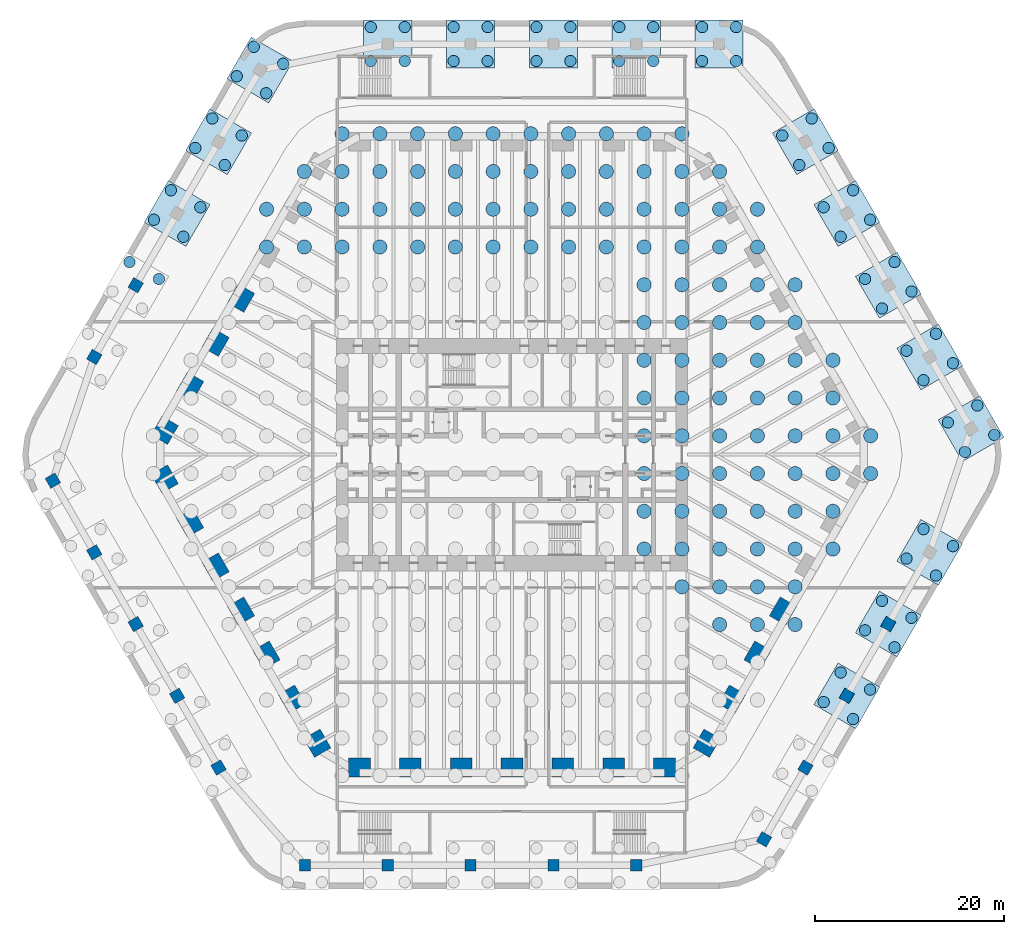
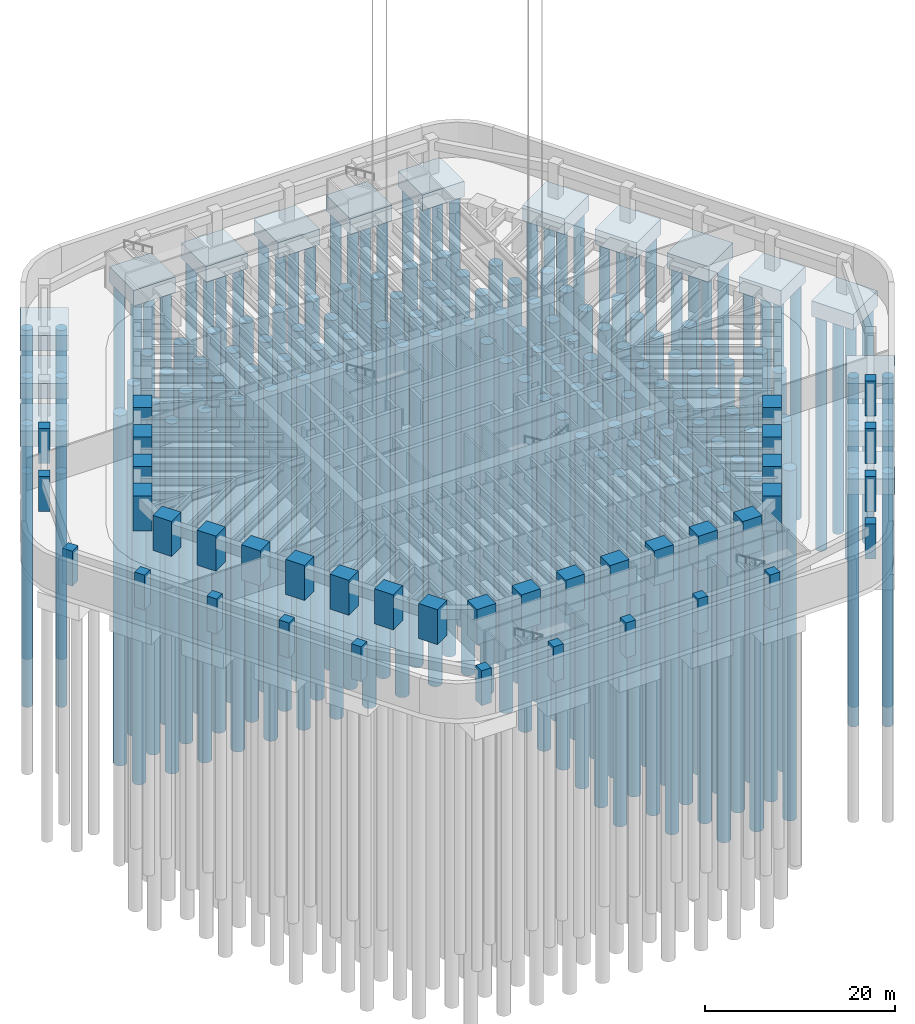
# One storey, part 2 of 17: 171 piles, 38 columns, 16 footings.
"""IFC4 building model written with IfcOpenShell, lengths in metres."""

from ifc_helpers import new_model, si_unit, direction, frame, origin, origin_2d, place, context, subcontext, project, spatial, polyline, rectangle, circle, outline, extrude, material, layer, layer_set, material_profile, profile_set, type_object, element, save


model = new_model("IFC4")

# Units and contexts
model_context = context("Model", 3, precision=1e-05, world=origin(), true_north=direction((0.0, 1.0)))
body_context = subcontext(model_context, "Body", "Model", "MODEL_VIEW")
ifc_project = project(units=[si_unit("LENGTHUNIT", "METRE"), si_unit("AREAUNIT", "SQUARE_METRE"), si_unit("VOLUMEUNIT", "CUBIC_METRE"), si_unit("PLANEANGLEUNIT", "RADIAN"), si_unit("MASSUNIT", "GRAM", prefix="KILO")], contexts=[model_context])

# Site, building, storey
site_placement = place(None, origin())
site = spatial("IfcSite", under=ifc_project, at=site_placement, CompositionType="ELEMENT")
building_placement = place(site_placement, origin())
building = spatial("IfcBuilding", under=site, at=building_placement, Name="Tarfa Lantern Tower", CompositionType="ELEMENT")
storey_placement = place(building_placement, frame((0.0, 0.0, -9.0)))
storey = spatial("IfcBuildingStorey", under=building, at=storey_placement, Name="B2", CompositionType="ELEMENT", Elevation=-9.0)

# Piles
ifc_material_1 = material(Name="Concrete C40/50", Category="concrete")
ifc_material_profile_1 = material_profile(ifc_material_1, circle(Radius=0.60009765625, at=origin_2d()), Name="BORED PILE D1200")
ifc_profile_set_1 = profile_set([ifc_material_profile_1], Name="Concrete C40/50")
pile_type_1 = type_object("IfcPileType", Name="BP1200 BORED PILE", PredefinedType="BORED", material=ifc_profile_set_1)
for number, where, z_axis, x_axis, name in (
    (1, (51.1005859375, 2.091064453125, -2.60009765625), (0.0, 0.0, -1.0), (1.0, 0.0, 0.0), "Cap pile NE0"),
    (2, (49.300537109375, 5.208740234375, -2.60009765625), (0.0, 0.0, -1.0), (1.0, 0.0, 0.0), "Cap pile NE0"),
    (3, (46.182861328125, 3.408935546875, -2.60009765625), (0.0, 0.0, -1.0), (1.0, 0.0, 0.0), "Cap pile NE0"),
    (4, (47.98291015625, 0.291259765625, -2.60009765625), (0.0, 0.0, -1.0), (1.0, 0.0, 0.0), "Cap pile NE0"),
    (5, (46.712646484375, 9.691162109375, -2.60009765625), (0.0, 0.0, -1.0), (1.0, 0.0, 0.0), "Cap pile NE1"),
    (6, (44.912841796875, 12.808837890625, -2.60009765625), (0.0, 0.0, -1.0), (1.0, 0.0, 0.0), "Cap pile NE1"),
    (7, (41.795166015625, 11.0087890625, -2.60009765625), (0.0, 0.0, -1.0), (1.0, 0.0, 0.0), "Cap pile NE1"),
    (8, (43.594970703125, 7.89111328125, -2.60009765625), (0.0, 0.0, -1.0), (1.0, 0.0, 0.0), "Cap pile NE1"),
    (9, (42.324951171875, 17.291259765625, -2.60009765625), (0.0, 0.0, -1.0), (1.0, 0.0, 0.0), "Cap pile NE2"),
    (10, (40.52490234375, 20.408935546875, -2.60009765625), (0.0, 0.0, -1.0), (1.0, 0.0, 0.0), "Cap pile NE2"),
    (11, (37.4072265625, 18.60888671875, -2.60009765625), (0.0, 0.0, -1.0), (1.0, 0.0, 0.0), "Cap pile NE2"),
    (12, (39.207275390625, 15.4912109375, -2.60009765625), (0.0, 0.0, -1.0), (1.0, 0.0, 0.0), "Cap pile NE2"),
    (13, (37.93701171875, 24.89111328125, -2.60009765625), (0.0, 0.0, -1.0), (1.0, 0.0, 0.0), "Cap pile NE3"),
    (14, (36.136962890625, 28.0087890625, -2.60009765625), (0.0, 0.0, -1.0), (1.0, 0.0, 0.0), "Cap pile NE3"),
    (15, (33.019287109375, 26.208740234375, -2.60009765625), (0.0, 0.0, -1.0), (1.0, 0.0, 0.0), "Cap pile NE3"),
    (16, (34.8193359375, 23.091064453125, -2.60009765625), (0.0, 0.0, -1.0), (1.0, 0.0, 0.0), "Cap pile NE3"),
    (17, (33.549072265625, 32.4912109375, -2.60009765625), (0.0, 0.0, -1.0), (1.0, 0.0, 0.0), "Cap pile NE4"),
    (18, (31.749267578125, 35.60888671875, -2.60009765625), (0.0, 0.0, -1.0), (1.0, 0.0, 0.0), "Cap pile NE4"),
    (19, (28.63134765625, 33.808837890625, -2.60009765625), (0.0, 0.0, -1.0), (1.0, 0.0, 0.0), "Cap pile NE4"),
    (20, (30.431396484375, 30.691162109375, -2.60009765625), (0.0, 0.0, -1.0), (1.0, 0.0, 0.0), "Cap pile NE4"),
    (21, (23.7392578125, 45.300048828125, -2.60009765625), (0.0, 0.0, -1.0), (1.0, 0.0, 0.0), "Cap pile N0"),
    (22, (20.139404296875, 45.300048828125, -2.60009765625), (0.0, 0.0, -1.0), (1.0, 0.0, 0.0), "Cap pile N0"),
    (23, (20.139404296875, 41.699951171875, -2.60009765625), (0.0, 0.0, -1.0), (1.0, 0.0, 0.0), "Cap pile N0"),
    (24, (23.7392578125, 41.699951171875, -2.60009765625), (0.0, 0.0, -1.0), (1.0, 0.0, 0.0), "Cap pile N0"),
    (25, (14.963623046875, 45.300048828125, -2.60009765625), (0.0, 0.0, -1.0), (1.0, 0.0, 0.0), "Cap pile N1"),
    (26, (11.363525390625, 45.300048828125, -2.60009765625), (0.0, 0.0, -1.0), (1.0, 0.0, 0.0), "Cap pile N1"),
    (27, (11.363525390625, 41.699951171875, -2.60009765625), (0.0, 0.0, -1.0), (1.0, 0.0, 0.0), "Cap pile N1"),
    (28, (14.963623046875, 41.699951171875, -2.60009765625), (0.0, 0.0, -1.0), (1.0, 0.0, 0.0), "Cap pile N1"),
    (29, (6.187744140625, 45.300048828125, -2.60009765625), (0.0, 0.0, -1.0), (1.0, 0.0, 0.0), "Cap pile N2"),
    (30, (2.587890625, 45.300048828125, -2.60009765625), (0.0, 0.0, -1.0), (1.0, 0.0, 0.0), "Cap pile N2"),
    (31, (2.587890625, 41.699951171875, -2.60009765625), (0.0, 0.0, -1.0), (1.0, 0.0, 0.0), "Cap pile N2"),
    (32, (6.187744140625, 41.699951171875, -2.60009765625), (0.0, 0.0, -1.0), (1.0, 0.0, 0.0), "Cap pile N2"),
    (33, (-2.587890625, 45.300048828125, -2.60009765625), (0.0, 0.0, -1.0), (1.0, 0.0, 0.0), "Cap pile N3"),
    (34, (-6.187744140625, 45.300048828125, -2.60009765625), (0.0, 0.0, -1.0), (1.0, 0.0, 0.0), "Cap pile N3"),
    (35, (-6.187744140625, 41.699951171875, -2.60009765625), (0.0, 0.0, -1.0), (1.0, 0.0, 0.0), "Cap pile N3"),
    (36, (-2.587890625, 41.699951171875, -2.60009765625), (0.0, 0.0, -1.0), (1.0, 0.0, 0.0), "Cap pile N3"),
    (37, (-11.363525390625, 45.300048828125, -2.60009765625), (0.0, 0.0, -1.0), (1.0, 0.0, 0.0), "Cap pile N4"),
    (38, (-14.963623046875, 45.300048828125, -2.60009765625), (0.0, 0.0, -1.0), (1.0, 0.0, 0.0), "Cap pile N4"),
    (39, (-14.963623046875, 41.699951171875, -2.60009765625), (0.0, 0.0, -1.0), (1.0, 0.0, 0.0), "Cap pile N4"),
    (40, (-11.363525390625, 41.699951171875, -2.60009765625), (0.0, 0.0, -1.0), (1.0, 0.0, 0.0), "Cap pile N4"),
    (41, (-27.361328125, 43.208740234375, -2.60009765625), (0.0, 0.0, -1.0), (1.0, 0.0, 0.0), "Cap pile NW0"),
    (42, (-29.161376953125, 40.091064453125, -2.60009765625), (0.0, 0.0, -1.0), (1.0, 0.0, 0.0), "Cap pile NW0"),
    (43, (-26.043701171875, 38.291259765625, -2.60009765625), (0.0, 0.0, -1.0), (1.0, 0.0, 0.0), "Cap pile NW0"),
    (44, (-24.24365234375, 41.408935546875, -2.60009765625), (0.0, 0.0, -1.0), (1.0, 0.0, 0.0), "Cap pile NW0"),
    (45, (-31.749267578125, 35.60888671875, -2.60009765625), (0.0, 0.0, -1.0), (1.0, 0.0, 0.0), "Cap pile NW1"),
    (46, (-33.549072265625, 32.4912109375, -2.60009765625), (0.0, 0.0, -1.0), (1.0, 0.0, 0.0), "Cap pile NW1"),
    (47, (-30.431396484375, 30.691162109375, -2.60009765625), (0.0, 0.0, -1.0), (1.0, 0.0, 0.0), "Cap pile NW1"),
    (48, (-28.63134765625, 33.808837890625, -2.60009765625), (0.0, 0.0, -1.0), (1.0, 0.0, 0.0), "Cap pile NW1"),
    (49, (-36.136962890625, 28.0087890625, -2.60009765625), (0.0, 0.0, -1.0), (1.0, 0.0, 0.0), "Cap pile NW2"),
    (50, (-37.93701171875, 24.89111328125, -2.60009765625), (0.0, 0.0, -1.0), (1.0, 0.0, 0.0), "Cap pile NW2"),
    (51, (-34.8193359375, 23.091064453125, -2.60009765625), (0.0, 0.0, -1.0), (1.0, 0.0, 0.0), "Cap pile NW2"),
    (52, (-33.019287109375, 26.208740234375, -2.60009765625), (0.0, 0.0, -1.0), (1.0, 0.0, 0.0), "Cap pile NW2"),
    (53, (-40.52490234375, 20.408935546875, -2.60009765625), (0.0, 0.0, -1.0), (1.0, 0.0, 0.0), "Cap pile NW3"),
    (54, (-37.4072265625, 18.60888671875, -2.60009765625), (0.0, 0.0, -1.0), (1.0, 0.0, 0.0), "Cap pile NW3"),
    (55, (36.136962890625, -28.0087890625, -2.60009765625), (0.0, 0.0, -1.0), (1.0, 0.0, 0.0), "Cap pile SE2"),
    (56, (37.93701171875, -24.89111328125, -2.60009765625), (0.0, 0.0, -1.0), (1.0, 0.0, 0.0), "Cap pile SE2"),
    (57, (34.8193359375, -23.091064453125, -2.60009765625), (0.0, 0.0, -1.0), (1.0, 0.0, 0.0), "Cap pile SE2"),
    (58, (33.019287109375, -26.208740234375, -2.60009765625), (0.0, 0.0, -1.0), (1.0, 0.0, 0.0), "Cap pile SE2"),
    (59, (40.52490234375, -20.408935546875, -2.60009765625), (0.0, 0.0, -1.0), (1.0, 0.0, 0.0), "Cap pile SE3"),
    (60, (42.324951171875, -17.291259765625, -2.60009765625), (0.0, 0.0, -1.0), (1.0, 0.0, 0.0), "Cap pile SE3"),
    (61, (39.207275390625, -15.4912109375, -2.60009765625), (0.0, 0.0, -1.0), (1.0, 0.0, 0.0), "Cap pile SE3"),
    (62, (37.4072265625, -18.60888671875, -2.60009765625), (0.0, 0.0, -1.0), (1.0, 0.0, 0.0), "Cap pile SE3"),
    (63, (44.912841796875, -12.808837890625, -2.60009765625), (0.0, 0.0, -1.0), (1.0, 0.0, 0.0), "Cap pile SE4"),
    (64, (46.712646484375, -9.691162109375, -2.60009765625), (0.0, 0.0, -1.0), (1.0, 0.0, 0.0), "Cap pile SE4"),
    (65, (43.594970703125, -7.89111328125, -2.60009765625), (0.0, 0.0, -1.0), (1.0, 0.0, 0.0), "Cap pile SE4"),
    (66, (41.795166015625, -11.0087890625, -2.60009765625), (0.0, 0.0, -1.0), (1.0, 0.0, 0.0), "Cap pile SE4"),
):
    element("IfcPile", number, at=place(storey_placement, frame(where, z_axis=z_axis, x_axis=x_axis)), inside=storey, type_object=pile_type_1, Name=name, PredefinedType="BORED", context=body_context, shape_type="SweptSolid", body=[
        extrude(circle(Radius=0.60009765625, at=origin_2d()), origin(), (0.0, 0.0, 1.0), 30.0),
    ])
ifc_material_profile_2 = material_profile(ifc_material_1, circle(Radius=0.75, at=origin_2d()), Name="BORED PILE D1500")
ifc_profile_set_2 = profile_set([ifc_material_profile_2], Name="Concrete C40/50")
pile_type_2 = type_object("IfcPileType", Name="BP1500 BORED PILE", PredefinedType="BORED", material=ifc_profile_set_2)
for number, where, z_axis, x_axis, name in (
    (67, (-26.0, 22.0, -3.5), (0.0, 0.0, -1.0), (1.0, 0.0, 0.0), "Raft pile"),
    (68, (-26.0, 26.0, -3.5), (0.0, 0.0, -1.0), (1.0, 0.0, 0.0), "Raft pile"),
    (69, (-22.0, 22.0, -3.5), (0.0, 0.0, -1.0), (1.0, 0.0, 0.0), "Raft pile"),
    (70, (-22.0, 26.0, -3.5), (0.0, 0.0, -1.0), (1.0, 0.0, 0.0), "Raft pile"),
    (71, (-22.0, 30.0, -3.5), (0.0, 0.0, -1.0), (1.0, 0.0, 0.0), "Raft pile"),
    (72, (-18.0, 22.0, -3.5), (0.0, 0.0, -1.0), (1.0, 0.0, 0.0), "Raft pile"),
    (73, (-18.0, 26.0, -3.5), (0.0, 0.0, -1.0), (1.0, 0.0, 0.0), "Raft pile"),
    (74, (-18.0, 30.0, -3.5), (0.0, 0.0, -1.0), (1.0, 0.0, 0.0), "Raft pile"),
    (75, (-18.0, 34.0, -3.5), (0.0, 0.0, -1.0), (1.0, 0.0, 0.0), "Raft pile"),
    (76, (-14.0, 22.0, -3.5), (0.0, 0.0, -1.0), (1.0, 0.0, 0.0), "Raft pile"),
    (77, (-14.0, 26.0, -3.5), (0.0, 0.0, -1.0), (1.0, 0.0, 0.0), "Raft pile"),
    (78, (-14.0, 30.0, -3.5), (0.0, 0.0, -1.0), (1.0, 0.0, 0.0), "Raft pile"),
    (79, (-14.0, 34.0, -3.5), (0.0, 0.0, -1.0), (1.0, 0.0, 0.0), "Raft pile"),
    (80, (-10.0, 22.0, -3.5), (0.0, 0.0, -1.0), (1.0, 0.0, 0.0), "Raft pile"),
    (81, (-10.0, 26.0, -3.5), (0.0, 0.0, -1.0), (1.0, 0.0, 0.0), "Raft pile"),
    (82, (-10.0, 30.0, -3.5), (0.0, 0.0, -1.0), (1.0, 0.0, 0.0), "Raft pile"),
    (83, (-10.0, 34.0, -3.5), (0.0, 0.0, -1.0), (1.0, 0.0, 0.0), "Raft pile"),
    (84, (-6.0, 22.0, -3.5), (0.0, 0.0, -1.0), (1.0, 0.0, 0.0), "Raft pile"),
    (85, (-6.0, 26.0, -3.5), (0.0, 0.0, -1.0), (1.0, 0.0, 0.0), "Raft pile"),
    (86, (-6.0, 30.0, -3.5), (0.0, 0.0, -1.0), (1.0, 0.0, 0.0), "Raft pile"),
    (87, (-6.0, 34.0, -3.5), (0.0, 0.0, -1.0), (1.0, 0.0, 0.0), "Raft pile"),
    (88, (-2.0, 22.0, -3.5), (0.0, 0.0, -1.0), (1.0, 0.0, 0.0), "Raft pile"),
    (89, (-2.0, 26.0, -3.5), (0.0, 0.0, -1.0), (1.0, 0.0, 0.0), "Raft pile"),
    (90, (-2.0, 30.0, -3.5), (0.0, 0.0, -1.0), (1.0, 0.0, 0.0), "Raft pile"),
    (91, (-2.0, 34.0, -3.5), (0.0, 0.0, -1.0), (1.0, 0.0, 0.0), "Raft pile"),
    (92, (2.0, 22.0, -3.5), (0.0, 0.0, -1.0), (1.0, 0.0, 0.0), "Raft pile"),
    (93, (2.0, 26.0, -3.5), (0.0, 0.0, -1.0), (1.0, 0.0, 0.0), "Raft pile"),
    (94, (2.0, 30.0, -3.5), (0.0, 0.0, -1.0), (1.0, 0.0, 0.0), "Raft pile"),
    (95, (2.0, 34.0, -3.5), (0.0, 0.0, -1.0), (1.0, 0.0, 0.0), "Raft pile"),
    (96, (6.0, 22.0, -3.5), (0.0, 0.0, -1.0), (1.0, 0.0, 0.0), "Raft pile"),
    (97, (6.0, 26.0, -3.5), (0.0, 0.0, -1.0), (1.0, 0.0, 0.0), "Raft pile"),
    (98, (6.0, 30.0, -3.5), (0.0, 0.0, -1.0), (1.0, 0.0, 0.0), "Raft pile"),
    (99, (6.0, 34.0, -3.5), (0.0, 0.0, -1.0), (1.0, 0.0, 0.0), "Raft pile"),
    (100, (10.0, 22.0, -3.5), (0.0, 0.0, -1.0), (1.0, 0.0, 0.0), "Raft pile"),
    (101, (10.0, 26.0, -3.5), (0.0, 0.0, -1.0), (1.0, 0.0, 0.0), "Raft pile"),
    (102, (10.0, 30.0, -3.5), (0.0, 0.0, -1.0), (1.0, 0.0, 0.0), "Raft pile"),
    (103, (10.0, 34.0, -3.5), (0.0, 0.0, -1.0), (1.0, 0.0, 0.0), "Raft pile"),
    (104, (14.0, -10.0, -3.5), (0.0, 0.0, -1.0), (1.0, 0.0, 0.0), "Raft pile"),
    (105, (14.0, -6.0, -3.5), (0.0, 0.0, -1.0), (1.0, 0.0, 0.0), "Raft pile"),
    (106, (14.0, -2.0, -3.5), (0.0, 0.0, -1.0), (1.0, 0.0, 0.0), "Raft pile"),
    (107, (14.0, 2.0, -3.5), (0.0, 0.0, -1.0), (1.0, 0.0, 0.0), "Raft pile"),
    (108, (14.0, 6.0, -3.5), (0.0, 0.0, -1.0), (1.0, 0.0, 0.0), "Raft pile"),
    (109, (14.0, 10.0, -3.5), (0.0, 0.0, -1.0), (1.0, 0.0, 0.0), "Raft pile"),
    (110, (14.0, 14.0, -3.5), (0.0, 0.0, -1.0), (1.0, 0.0, 0.0), "Raft pile"),
    (111, (14.0, 18.0, -3.5), (0.0, 0.0, -1.0), (1.0, 0.0, 0.0), "Raft pile"),
    (112, (14.0, 22.0, -3.5), (0.0, 0.0, -1.0), (1.0, 0.0, 0.0), "Raft pile"),
    (113, (14.0, 26.0, -3.5), (0.0, 0.0, -1.0), (1.0, 0.0, 0.0), "Raft pile"),
    (114, (14.0, 30.0, -3.5), (0.0, 0.0, -1.0), (1.0, 0.0, 0.0), "Raft pile"),
    (115, (14.0, 34.0, -3.5), (0.0, 0.0, -1.0), (1.0, 0.0, 0.0), "Raft pile"),
    (116, (18.0, -14.0, -3.5), (0.0, 0.0, -1.0), (1.0, 0.0, 0.0), "Raft pile"),
    (117, (18.0, -10.0, -3.5), (0.0, 0.0, -1.0), (1.0, 0.0, 0.0), "Raft pile"),
    (118, (18.0, -6.0, -3.5), (0.0, 0.0, -1.0), (1.0, 0.0, 0.0), "Raft pile"),
    (119, (18.0, -2.0, -3.5), (0.0, 0.0, -1.0), (1.0, 0.0, 0.0), "Raft pile"),
    (120, (18.0, 2.0, -3.5), (0.0, 0.0, -1.0), (1.0, 0.0, 0.0), "Raft pile"),
    (121, (18.0, 6.0, -3.5), (0.0, 0.0, -1.0), (1.0, 0.0, 0.0), "Raft pile"),
    (122, (18.0, 10.0, -3.5), (0.0, 0.0, -1.0), (1.0, 0.0, 0.0), "Raft pile"),
    (123, (18.0, 14.0, -3.5), (0.0, 0.0, -1.0), (1.0, 0.0, 0.0), "Raft pile"),
    (124, (18.0, 18.0, -3.5), (0.0, 0.0, -1.0), (1.0, 0.0, 0.0), "Raft pile"),
    (125, (18.0, 22.0, -3.5), (0.0, 0.0, -1.0), (1.0, 0.0, 0.0), "Raft pile"),
    (126, (18.0, 26.0, -3.5), (0.0, 0.0, -1.0), (1.0, 0.0, 0.0), "Raft pile"),
    (127, (18.0, 30.0, -3.5), (0.0, 0.0, -1.0), (1.0, 0.0, 0.0), "Raft pile"),
    (128, (18.0, 34.0, -3.5), (0.0, 0.0, -1.0), (1.0, 0.0, 0.0), "Raft pile"),
    (129, (22.0, -18.0, -3.5), (0.0, 0.0, -1.0), (1.0, 0.0, 0.0), "Raft pile"),
    (130, (22.0, -14.0, -3.5), (0.0, 0.0, -1.0), (1.0, 0.0, 0.0), "Raft pile"),
    (131, (22.0, -10.0, -3.5), (0.0, 0.0, -1.0), (1.0, 0.0, 0.0), "Raft pile"),
    (132, (22.0, -6.0, -3.5), (0.0, 0.0, -1.0), (1.0, 0.0, 0.0), "Raft pile"),
    (133, (22.0, -2.0, -3.5), (0.0, 0.0, -1.0), (1.0, 0.0, 0.0), "Raft pile"),
    (134, (22.0, 2.0, -3.5), (0.0, 0.0, -1.0), (1.0, 0.0, 0.0), "Raft pile"),
    (135, (22.0, 6.0, -3.5), (0.0, 0.0, -1.0), (1.0, 0.0, 0.0), "Raft pile"),
    (136, (22.0, 10.0, -3.5), (0.0, 0.0, -1.0), (1.0, 0.0, 0.0), "Raft pile"),
    (137, (22.0, 14.0, -3.5), (0.0, 0.0, -1.0), (1.0, 0.0, 0.0), "Raft pile"),
    (138, (22.0, 18.0, -3.5), (0.0, 0.0, -1.0), (1.0, 0.0, 0.0), "Raft pile"),
    (139, (22.0, 22.0, -3.5), (0.0, 0.0, -1.0), (1.0, 0.0, 0.0), "Raft pile"),
    (140, (22.0, 26.0, -3.5), (0.0, 0.0, -1.0), (1.0, 0.0, 0.0), "Raft pile"),
    (141, (22.0, 30.0, -3.5), (0.0, 0.0, -1.0), (1.0, 0.0, 0.0), "Raft pile"),
    (142, (26.0, -18.0, -3.5), (0.0, 0.0, -1.0), (1.0, 0.0, 0.0), "Raft pile"),
    (143, (26.0, -14.0, -3.5), (0.0, 0.0, -1.0), (1.0, 0.0, 0.0), "Raft pile"),
    (144, (26.0, -10.0, -3.5), (0.0, 0.0, -1.0), (1.0, 0.0, 0.0), "Raft pile"),
    (145, (26.0, -6.0, -3.5), (0.0, 0.0, -1.0), (1.0, 0.0, 0.0), "Raft pile"),
    (146, (26.0, -2.0, -3.5), (0.0, 0.0, -1.0), (1.0, 0.0, 0.0), "Raft pile"),
    (147, (26.0, 2.0, -3.5), (0.0, 0.0, -1.0), (1.0, 0.0, 0.0), "Raft pile"),
    (148, (26.0, 6.0, -3.5), (0.0, 0.0, -1.0), (1.0, 0.0, 0.0), "Raft pile"),
    (149, (26.0, 10.0, -3.5), (0.0, 0.0, -1.0), (1.0, 0.0, 0.0), "Raft pile"),
    (150, (26.0, 14.0, -3.5), (0.0, 0.0, -1.0), (1.0, 0.0, 0.0), "Raft pile"),
    (151, (26.0, 18.0, -3.5), (0.0, 0.0, -1.0), (1.0, 0.0, 0.0), "Raft pile"),
    (152, (26.0, 22.0, -3.5), (0.0, 0.0, -1.0), (1.0, 0.0, 0.0), "Raft pile"),
    (153, (26.0, 26.0, -3.5), (0.0, 0.0, -1.0), (1.0, 0.0, 0.0), "Raft pile"),
    (154, (30.0, -18.0, -3.5), (0.0, 0.0, -1.0), (1.0, 0.0, 0.0), "Raft pile"),
    (155, (30.0, -14.0, -3.5), (0.0, 0.0, -1.0), (1.0, 0.0, 0.0), "Raft pile"),
    (156, (30.0, -10.0, -3.5), (0.0, 0.0, -1.0), (1.0, 0.0, 0.0), "Raft pile"),
    (157, (30.0, -6.0, -3.5), (0.0, 0.0, -1.0), (1.0, 0.0, 0.0), "Raft pile"),
    (158, (30.0, -2.0, -3.5), (0.0, 0.0, -1.0), (1.0, 0.0, 0.0), "Raft pile"),
    (159, (30.0, 2.0, -3.5), (0.0, 0.0, -1.0), (1.0, 0.0, 0.0), "Raft pile"),
    (160, (30.0, 6.0, -3.5), (0.0, 0.0, -1.0), (1.0, 0.0, 0.0), "Raft pile"),
    (161, (30.0, 10.0, -3.5), (0.0, 0.0, -1.0), (1.0, 0.0, 0.0), "Raft pile"),
    (162, (30.0, 14.0, -3.5), (0.0, 0.0, -1.0), (1.0, 0.0, 0.0), "Raft pile"),
    (163, (30.0, 18.0, -3.5), (0.0, 0.0, -1.0), (1.0, 0.0, 0.0), "Raft pile"),
    (164, (34.0, -10.0, -3.5), (0.0, 0.0, -1.0), (1.0, 0.0, 0.0), "Raft pile"),
    (165, (34.0, -6.0, -3.5), (0.0, 0.0, -1.0), (1.0, 0.0, 0.0), "Raft pile"),
    (166, (34.0, -2.0, -3.5), (0.0, 0.0, -1.0), (1.0, 0.0, 0.0), "Raft pile"),
    (167, (34.0, 2.0, -3.5), (0.0, 0.0, -1.0), (1.0, 0.0, 0.0), "Raft pile"),
    (168, (34.0, 6.0, -3.5), (0.0, 0.0, -1.0), (1.0, 0.0, 0.0), "Raft pile"),
    (169, (34.0, 10.0, -3.5), (0.0, 0.0, -1.0), (1.0, 0.0, 0.0), "Raft pile"),
    (170, (38.0, -2.0, -3.5), (0.0, 0.0, -1.0), (1.0, 0.0, 0.0), "Raft pile"),
    (171, (38.0, 2.0, -3.5), (0.0, 0.0, -1.0), (1.0, 0.0, 0.0), "Raft pile"),
):
    element("IfcPile", number, at=place(storey_placement, frame(where, z_axis=z_axis, x_axis=x_axis)), inside=storey, type_object=pile_type_2, Name=name, PredefinedType="BORED", context=body_context, shape_type="SweptSolid", body=[
        extrude(circle(Radius=0.75, at=origin_2d()), origin(), (0.0, 0.0, 1.0), 45.0),
    ])

# Footings
ifc_layer = layer(ifc_material_1, 2.0)
ifc_layer_set = layer_set([ifc_layer], Name="PC4 PILE CAP 5100")
footing_type = type_object("IfcFootingType", Name="PC4 PILE CAP 5100", PredefinedType="PILE_CAP", material=ifc_layer_set)
footing_1_placement = place(storey_placement, frame((0.0, 0.0, -2.60009765625)))
element("IfcFooting", 172, at=footing_1_placement, inside=storey, type_object=footing_type, Name="Pile cap NE0", PredefinedType="PILE_CAP", context=body_context, shape_type="SweptSolid", body=[
    extrude(outline(polyline([(52.125244140625, 1.816650390625), (49.5751953125, 6.2333984375), (45.158447265625, 3.683349609375), (47.70849609375, -0.7333984375), (52.125244140625, 1.816650390625)])), origin(), (0.0, 0.0, 1.0), 2.0),
])
footing_2_placement = place(storey_placement, frame((0.0, 0.0, -2.60009765625)))
element("IfcFooting", 173, at=footing_2_placement, inside=storey, type_object=footing_type, Name="Pile cap NE1", PredefinedType="PILE_CAP", context=body_context, shape_type="SweptSolid", body=[
    extrude(outline(polyline([(47.7373046875, 9.416748046875), (45.187255859375, 13.833251953125), (40.7705078125, 11.283447265625), (43.320556640625, 6.86669921875), (47.7373046875, 9.416748046875)])), origin(), (0.0, 0.0, 1.0), 2.0),
])
footing_3_placement = place(storey_placement, frame((0.0, 0.0, -2.60009765625)))
element("IfcFooting", 174, at=footing_3_placement, inside=storey, type_object=footing_type, Name="Pile cap NE2", PredefinedType="PILE_CAP", context=body_context, shape_type="SweptSolid", body=[
    extrude(outline(polyline([(43.349365234375, 17.0166015625), (40.79931640625, 21.433349609375), (36.382568359375, 18.88330078125), (38.9326171875, 14.466552734375), (43.349365234375, 17.0166015625)])), origin(), (0.0, 0.0, 1.0), 2.0),
])
footing_4_placement = place(storey_placement, frame((0.0, 0.0, -2.60009765625)))
element("IfcFooting", 175, at=footing_4_placement, inside=storey, type_object=footing_type, Name="Pile cap NE3", PredefinedType="PILE_CAP", context=body_context, shape_type="SweptSolid", body=[
    extrude(outline(polyline([(38.96142578125, 24.61669921875), (36.41162109375, 29.033447265625), (31.994873046875, 26.4833984375), (34.544921875, 22.066650390625), (38.96142578125, 24.61669921875)])), origin(), (0.0, 0.0, 1.0), 2.0),
])
footing_5_placement = place(storey_placement, frame((0.0, 0.0, -2.60009765625)))
element("IfcFooting", 176, at=footing_5_placement, inside=storey, type_object=footing_type, Name="Pile cap NE4", PredefinedType="PILE_CAP", context=body_context, shape_type="SweptSolid", body=[
    extrude(outline(polyline([(34.57373046875, 32.216552734375), (32.023681640625, 36.63330078125), (27.60693359375, 34.083251953125), (30.156982421875, 29.666748046875), (34.57373046875, 32.216552734375)])), origin(), (0.0, 0.0, 1.0), 2.0),
])
footing_6_placement = place(storey_placement, frame((0.0, 0.0, -2.60009765625)))
element("IfcFooting", 177, at=footing_6_placement, inside=storey, type_object=footing_type, Name="Pile cap N0", PredefinedType="PILE_CAP", context=body_context, shape_type="SweptSolid", body=[
    extrude(outline(polyline([(24.4892578125, 46.050048828125), (19.389404296875, 46.050048828125), (19.389404296875, 40.949951171875), (24.4892578125, 40.949951171875), (24.4892578125, 46.050048828125)])), origin(), (0.0, 0.0, 1.0), 2.0),
])
footing_7_placement = place(storey_placement, frame((0.0, 0.0, -2.60009765625)))
element("IfcFooting", 178, at=footing_7_placement, inside=storey, type_object=footing_type, Name="Pile cap N1", PredefinedType="PILE_CAP", context=body_context, shape_type="SweptSolid", body=[
    extrude(outline(polyline([(15.713623046875, 46.050048828125), (10.613525390625, 46.050048828125), (10.613525390625, 40.949951171875), (15.713623046875, 40.949951171875), (15.713623046875, 46.050048828125)])), origin(), (0.0, 0.0, 1.0), 2.0),
])
footing_8_placement = place(storey_placement, frame((0.0, 0.0, -2.60009765625)))
element("IfcFooting", 179, at=footing_8_placement, inside=storey, type_object=footing_type, Name="Pile cap N2", PredefinedType="PILE_CAP", context=body_context, shape_type="SweptSolid", body=[
    extrude(outline(polyline([(6.937744140625, 46.050048828125), (1.837890625, 46.050048828125), (1.837890625, 40.949951171875), (6.937744140625, 40.949951171875), (6.937744140625, 46.050048828125)])), origin(), (0.0, 0.0, 1.0), 2.0),
])
footing_9_placement = place(storey_placement, frame((0.0, 0.0, -2.60009765625)))
element("IfcFooting", 180, at=footing_9_placement, inside=storey, type_object=footing_type, Name="Pile cap N3", PredefinedType="PILE_CAP", context=body_context, shape_type="SweptSolid", body=[
    extrude(outline(polyline([(-1.837890625, 46.050048828125), (-6.937744140625, 46.050048828125), (-6.937744140625, 40.949951171875), (-1.837890625, 40.949951171875), (-1.837890625, 46.050048828125)])), origin(), (0.0, 0.0, 1.0), 2.0),
])
footing_10_placement = place(storey_placement, frame((0.0, 0.0, -2.60009765625)))
element("IfcFooting", 181, at=footing_10_placement, inside=storey, type_object=footing_type, Name="Pile cap N4", PredefinedType="PILE_CAP", context=body_context, shape_type="SweptSolid", body=[
    extrude(outline(polyline([(-10.613525390625, 46.050048828125), (-15.713623046875, 46.050048828125), (-15.713623046875, 40.949951171875), (-10.613525390625, 40.949951171875), (-10.613525390625, 46.050048828125)])), origin(), (0.0, 0.0, 1.0), 2.0),
])
footing_11_placement = place(storey_placement, frame((0.0, 0.0, -2.60009765625)))
element("IfcFooting", 182, at=footing_11_placement, inside=storey, type_object=footing_type, Name="Pile cap NW0", PredefinedType="PILE_CAP", context=body_context, shape_type="SweptSolid", body=[
    extrude(outline(polyline([(-27.6357421875, 44.2333984375), (-30.185791015625, 39.816650390625), (-25.76904296875, 37.2666015625), (-23.218994140625, 41.683349609375), (-27.6357421875, 44.2333984375)])), origin(), (0.0, 0.0, 1.0), 2.0),
])
footing_12_placement = place(storey_placement, frame((0.0, 0.0, -2.60009765625)))
element("IfcFooting", 183, at=footing_12_placement, inside=storey, type_object=footing_type, Name="Pile cap NW1", PredefinedType="PILE_CAP", context=body_context, shape_type="SweptSolid", body=[
    extrude(outline(polyline([(-32.023681640625, 36.63330078125), (-34.57373046875, 32.216552734375), (-30.156982421875, 29.666748046875), (-27.60693359375, 34.083251953125), (-32.023681640625, 36.63330078125)])), origin(), (0.0, 0.0, 1.0), 2.0),
])
footing_13_placement = place(storey_placement, frame((0.0, 0.0, -2.60009765625)))
element("IfcFooting", 184, at=footing_13_placement, inside=storey, type_object=footing_type, Name="Pile cap NW2", PredefinedType="PILE_CAP", context=body_context, shape_type="SweptSolid", body=[
    extrude(outline(polyline([(-36.41162109375, 29.033447265625), (-38.96142578125, 24.61669921875), (-34.544921875, 22.066650390625), (-31.994873046875, 26.4833984375), (-36.41162109375, 29.033447265625)])), origin(), (0.0, 0.0, 1.0), 2.0),
])
footing_14_placement = place(storey_placement, frame((0.0, 0.0, -2.60009765625)))
element("IfcFooting", 185, at=footing_14_placement, inside=storey, type_object=footing_type, Name="Pile cap SE2", PredefinedType="PILE_CAP", context=body_context, shape_type="SweptSolid", body=[
    extrude(outline(polyline([(36.41162109375, -29.033447265625), (38.96142578125, -24.61669921875), (34.544921875, -22.066650390625), (31.994873046875, -26.4833984375), (36.41162109375, -29.033447265625)])), origin(), (0.0, 0.0, 1.0), 2.0),
])
footing_15_placement = place(storey_placement, frame((0.0, 0.0, -2.60009765625)))
element("IfcFooting", 186, at=footing_15_placement, inside=storey, type_object=footing_type, Name="Pile cap SE3", PredefinedType="PILE_CAP", context=body_context, shape_type="SweptSolid", body=[
    extrude(outline(polyline([(40.79931640625, -21.433349609375), (43.349365234375, -17.0166015625), (38.9326171875, -14.466552734375), (36.382568359375, -18.88330078125), (40.79931640625, -21.433349609375)])), origin(), (0.0, 0.0, 1.0), 2.0),
])
footing_16_placement = place(storey_placement, frame((0.0, 0.0, -2.60009765625)))
element("IfcFooting", 187, at=footing_16_placement, inside=storey, type_object=footing_type, Name="Pile cap SE4", PredefinedType="PILE_CAP", context=body_context, shape_type="SweptSolid", body=[
    extrude(outline(polyline([(45.187255859375, -13.833251953125), (47.7373046875, -9.416748046875), (43.320556640625, -6.86669921875), (40.7705078125, -11.283447265625), (45.187255859375, -13.833251953125)])), origin(), (0.0, 0.0, 1.0), 2.0),
])

# Columns
ifc_material_2 = material(Name="Concrete C80/95", Category="concrete")
ifc_material_profile_3 = material_profile(ifc_material_2, rectangle(XDim=1.199951171875, YDim=1.199951171875, at=origin_2d()), Name="RC 1200x1200")
ifc_profile_set_3 = profile_set([ifc_material_profile_3], Name="Concrete C80/95")
column_type_1 = type_object("IfcColumnType", Name="PC1 RC 1200x1200", PredefinedType="COLUMN", material=ifc_profile_set_3)
for number, where, z_axis, x_axis, name in (
    (188, (-39.865966796875, 17.949951171875, 0.0), (0.0, 0.0, 1.0), (-0.5, -0.866025403784, 0.0), "Podium column NW3"),
    (189, (-44.25390625, 10.35009765625, 0.0), (0.0, 0.0, 1.0), (-0.5, -0.866025403784, 0.0), "Podium column NW4"),
    (190, (-48.641845703125, -2.75, 0.0), (0.0, 0.0, 1.0), (0.5, -0.866025403784, 0.0), "Podium column SW0"),
    (191, (-44.25390625, -10.35009765625, 0.0), (0.0, 0.0, 1.0), (0.5, -0.866025403784, 0.0), "Podium column SW1"),
    (192, (-39.865966796875, -17.949951171875, 0.0), (0.0, 0.0, 1.0), (0.5, -0.866025403784, 0.0), "Podium column SW2"),
    (193, (-35.478271484375, -25.550048828125, 0.0), (0.0, 0.0, 1.0), (0.5, -0.866025403784, 0.0), "Podium column SW3"),
    (194, (-31.09033203125, -33.14990234375, 0.0), (0.0, 0.0, 1.0), (0.5, -0.866025403784, 0.0), "Podium column SW4"),
    (195, (-21.939208984375, -43.5, 0.0), (0.0, 0.0, 1.0), (1.0, 0.0, 0.0), "Podium column S0"),
    (196, (-13.16357421875, -43.5, 0.0), (0.0, 0.0, 1.0), (1.0, 0.0, 0.0), "Podium column S1"),
    (197, (-4.387939453125, -43.5, 0.0), (0.0, 0.0, 1.0), (1.0, 0.0, 0.0), "Podium column S2"),
    (198, (4.387939453125, -43.5, 0.0), (0.0, 0.0, 1.0), (1.0, 0.0, 0.0), "Podium column S3"),
    (199, (13.16357421875, -43.5, 0.0), (0.0, 0.0, 1.0), (1.0, 0.0, 0.0), "Podium column S4"),
    (200, (26.702392578125, -40.75, 0.0), (0.0, 0.0, 1.0), (0.5, 0.866025403784, 0.0), "Podium column SE0"),
    (201, (31.09033203125, -33.14990234375, 0.0), (0.0, 0.0, 1.0), (0.5, 0.866025403784, 0.0), "Podium column SE1"),
    (202, (35.478271484375, -25.550048828125, 0.0), (0.0, 0.0, 1.0), (0.5, 0.866025403784, 0.0), "Podium column SE2"),
    (203, (39.865966796875, -17.949951171875, 0.0), (0.0, 0.0, 1.0), (0.5, 0.866025403784, 0.0), "Podium column SE3"),
):
    element("IfcColumn", number, at=place(storey_placement, frame(where, z_axis=z_axis, x_axis=x_axis)), inside=storey, type_object=column_type_1, Name=name, PredefinedType="COLUMN", context=body_context, shape_type="SweptSolid", body=[
        extrude(rectangle(XDim=1.199951171875, YDim=1.199951171875, at=origin_2d()), origin(), (0.0, 0.0, 1.0), 4.5),
    ])
ifc_material_profile_4 = material_profile(ifc_material_2, rectangle(XDim=2.300048828125, YDim=2.0, at=origin_2d()), Name="RC 2300x2000")
ifc_profile_set_4 = profile_set([ifc_material_profile_4], Name="Concrete C80/95")
column_type_2 = type_object("IfcColumnType", Name="TC1 RC 2300x2000", PredefinedType="COLUMN", material=ifc_profile_set_4)
for number, where, z_axis, x_axis, name in (
    (204, (-28.708740234375, 16.574951171875, 0.0), (0.0, 0.0, 1.0), (-0.5, -0.866025403784, 0.0), "Tube column NW3"),
    (205, (-31.403076171875, 11.908447265625, 0.0), (0.0, 0.0, 1.0), (-0.5, -0.866025403784, 0.0), "Tube column NW4"),
    (206, (-34.097412109375, 7.24169921875, 0.0), (0.0, 0.0, 1.0), (-0.5, -0.866025403784, 0.0), "Tube column NW5"),
    (207, (-36.791748046875, 2.574951171875, 0.0), (0.0, 0.0, 1.0), (-0.5, -0.866025403784, 0.0), "Tube column NW6"),
    (208, (-36.791748046875, -2.574951171875, 0.0), (0.0, 0.0, 1.0), (0.5, -0.866025403784, 0.0), "Tube column SW0"),
    (209, (-34.097412109375, -7.24169921875, 0.0), (0.0, 0.0, 1.0), (0.5, -0.866025403784, 0.0), "Tube column SW1"),
    (210, (-31.403076171875, -11.908447265625, 0.0), (0.0, 0.0, 1.0), (0.5, -0.866025403784, 0.0), "Tube column SW2"),
    (211, (-28.708740234375, -16.574951171875, 0.0), (0.0, 0.0, 1.0), (0.5, -0.866025403784, 0.0), "Tube column SW3"),
    (212, (-26.014404296875, -21.24169921875, 0.0), (0.0, 0.0, 1.0), (0.5, -0.866025403784, 0.0), "Tube column SW4"),
    (213, (-23.320068359375, -25.908447265625, 0.0), (0.0, 0.0, 1.0), (0.5, -0.866025403784, 0.0), "Tube column SW5"),
    (214, (-20.625732421875, -30.574951171875, 0.0), (0.0, 0.0, 1.0), (0.5, -0.866025403784, 0.0), "Tube column SW6"),
    (215, (-16.165771484375, -33.14990234375, 0.0), (0.0, 0.0, 1.0), (1.0, 0.0, 0.0), "Tube column S0"),
    (216, (-10.777099609375, -33.14990234375, 0.0), (0.0, 0.0, 1.0), (1.0, 0.0, 0.0), "Tube column S1"),
    (217, (-5.388671875, -33.14990234375, 0.0), (0.0, 0.0, 1.0), (1.0, 0.0, 0.0), "Tube column S2"),
    (218, (0.0, -33.14990234375, 0.0), (0.0, 0.0, 1.0), (1.0, 0.0, 0.0), "Tube column S3"),
    (219, (5.388671875, -33.14990234375, 0.0), (0.0, 0.0, 1.0), (1.0, 0.0, 0.0), "Tube column S4"),
    (220, (10.777099609375, -33.14990234375, 0.0), (0.0, 0.0, 1.0), (1.0, 0.0, 0.0), "Tube column S5"),
    (221, (16.165771484375, -33.14990234375, 0.0), (0.0, 0.0, 1.0), (1.0, 0.0, 0.0), "Tube column S6"),
    (222, (20.625732421875, -30.574951171875, 0.0), (0.0, 0.0, 1.0), (0.5, 0.866025403784, 0.0), "Tube column SE0"),
    (223, (23.320068359375, -25.908447265625, 0.0), (0.0, 0.0, 1.0), (0.5, 0.866025403784, 0.0), "Tube column SE1"),
    (224, (26.014404296875, -21.24169921875, 0.0), (0.0, 0.0, 1.0), (0.5, 0.866025403784, 0.0), "Tube column SE2"),
    (225, (28.708740234375, -16.574951171875, 0.0), (0.0, 0.0, 1.0), (0.5, 0.866025403784, 0.0), "Tube column SE3"),
):
    element("IfcColumn", number, at=place(storey_placement, frame(where, z_axis=z_axis, x_axis=x_axis)), inside=storey, type_object=column_type_2, Name=name, PredefinedType="COLUMN", context=body_context, shape_type="SweptSolid", body=[
        extrude(rectangle(XDim=2.300048828125, YDim=2.0, at=origin_2d()), origin(), (0.0, 0.0, 1.0), 4.5),
    ])

save(model, "model.ifc")
